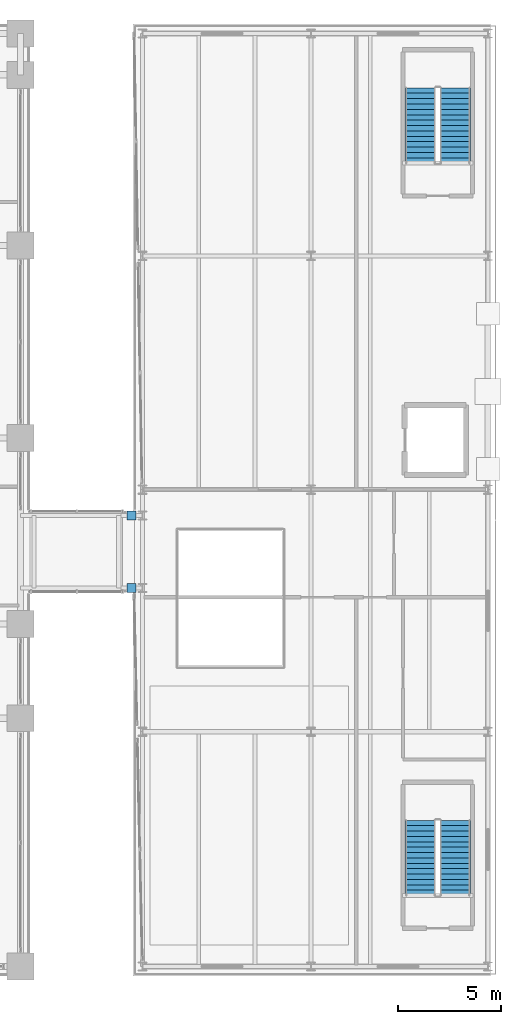
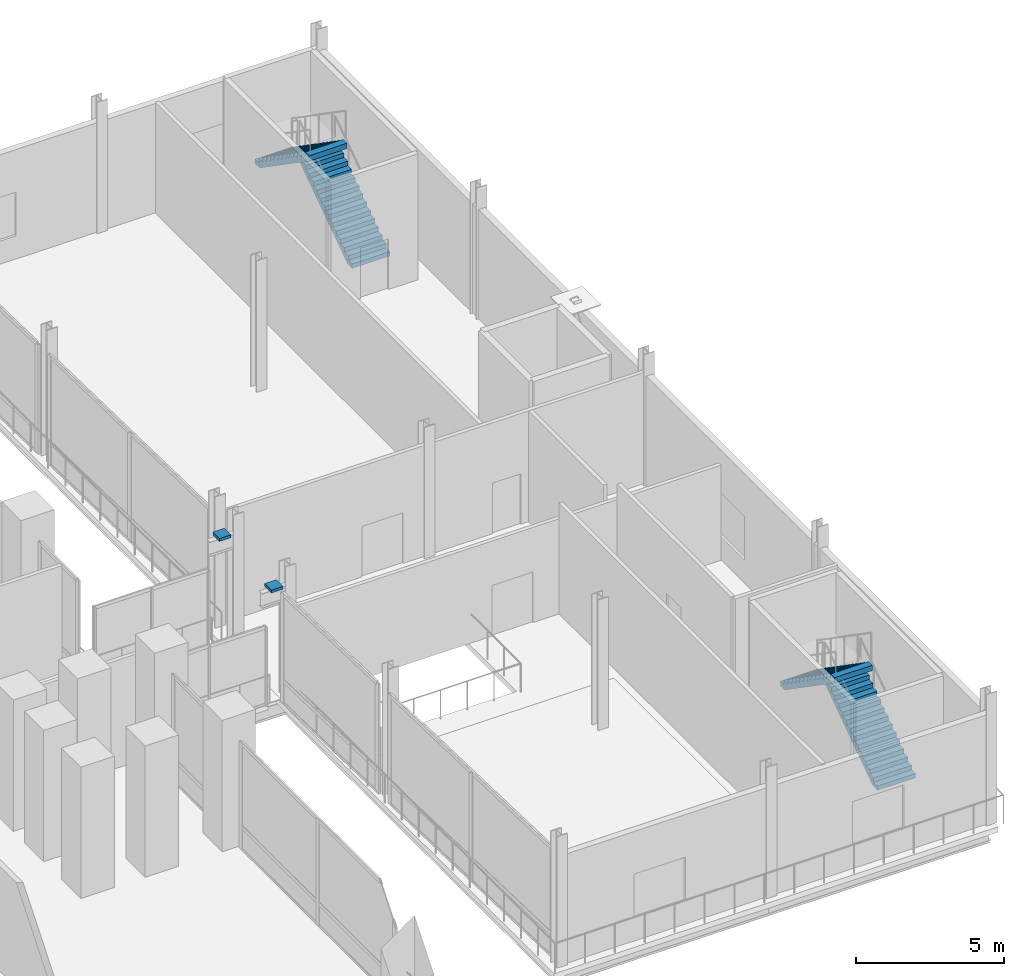
# One storey, part 25 of 31: 4 stair flights, 2 discrete accessories, 2 elements without a shape of their own.
"""IFC4 building model written with IfcOpenShell, lengths in metres."""

from ifc_helpers import new_model, si_unit, direction, frame, origin, origin_2d, place, context, subcontext, project, spatial, polyline, rectangle, outline, extrude, material, layer, layer_set, type_object, element, aggregate, save


model = new_model("IFC4")

# Units and contexts
model_context = context("Model", 3, precision=1e-05, world=origin(), true_north=direction((0.0, 1.0)))
body_context = subcontext(model_context, "Body", "Model", "MODEL_VIEW")
ifc_project = project(units=[si_unit("LENGTHUNIT", "METRE"), si_unit("AREAUNIT", "SQUARE_METRE"), si_unit("VOLUMEUNIT", "CUBIC_METRE"), si_unit("PLANEANGLEUNIT", "RADIAN"), si_unit("MASSUNIT", "GRAM", prefix="KILO")], contexts=[model_context])

# Site, building, storey
site_placement = place(None, origin())
site = spatial("IfcSite", under=ifc_project, at=site_placement, CompositionType="ELEMENT")
building_placement = place(site_placement, origin())
building = spatial("IfcBuilding", under=site, at=building_placement, Name="Noeulbin Bourse Tower", CompositionType="ELEMENT")
storey_placement = place(building_placement, frame((0.0, 0.0, 11.199951171875)))
storey = spatial("IfcBuildingStorey", under=building, at=storey_placement, Name="L03", CompositionType="ELEMENT", Elevation=11.199951171875)

# Stair, stair flights
ifc_material_1 = material(Name="Concrete C40/50", Category="concrete")
stair_type = type_object("IfcStairType", Name="STR-MKT-1480", PredefinedType="HALF_TURN_STAIR", material=ifc_material_1)
stair_1_placement = place(storey_placement, origin())
stair_1 = element("IfcStair", 1, at=stair_1_placement, inside=storey, type_object=stair_type, Name="L03 MST-1", PredefinedType="HALF_TURN_STAIR")
stair_flight_type = type_object("IfcStairFlightType", Name="SFL-MKT-1480", PredefinedType="STRAIGHT", material=ifc_material_1)
stair_flight_1_placement = place(storey_placement, frame((75.56005859375, 6.8798828125, 0.0), z_axis=(0.0, 0.0, 1.0), x_axis=(0.0, 1.0, 0.0)))
stair_flight_1 = element("IfcStairFlight", 2, at=stair_flight_1_placement, type_object=stair_flight_type, Name="MST-1 flight 1", NumberOfRisers=15, NumberOfTreads=14, PredefinedType="STRAIGHT", RiserHeight=0.18, TreadLength=0.26, context=body_context, shape_type="SweptSolid", body=[
    extrude(outline(polyline([(0.0, 0.0), (0.0, 0.179931640625), (0.260009765625, 0.179931640625), (0.260009765625, 0.360107421875), (0.52001953125, 0.360107421875), (0.52001953125, 0.5400390625), (0.780029296875, 0.5400390625), (0.780029296875, 0.719970703125), (1.0400390625, 0.719970703125), (1.0400390625, 0.89990234375), (1.300048828125, 0.89990234375), (1.300048828125, 1.080078125), (1.56005859375, 1.080078125), (1.56005859375, 1.260009765625), (1.820068359375, 1.260009765625), (1.820068359375, 1.43994140625), (2.080078125, 1.43994140625), (2.080078125, 1.6201171875), (2.340087890625, 1.6201171875), (2.340087890625, 1.800048828125), (2.60009765625, 1.800048828125), (2.60009765625, 1.97998046875), (2.860107421875, 1.97998046875), (2.860107421875, 2.159912109375), (3.1201171875, 2.159912109375), (3.1201171875, 2.340087890625), (3.3798828125, 2.340087890625), (3.3798828125, 2.52001953125), (3.639892578125, 2.52001953125), (3.639892578125, 2.699951171875), (3.639892578125, 2.30126953125), (0.316162109375, 0.0), (0.0, 0.0)])), frame((0.0, 0.739990234375, 0.0), z_axis=(0.0, -1.0, 0.0), x_axis=(1.0, 0.0, 0.0)), (0.0, 0.0, 1.0), 1.47998046875),
])
stair_flight_2_placement = place(storey_placement, frame((73.8798828125, 10.52001953125, 2.699951171875), z_axis=(0.0, 0.0, 1.0), x_axis=(0.0, -1.0, 0.0)))
stair_flight_2 = element("IfcStairFlight", 3, at=stair_flight_2_placement, type_object=stair_flight_type, Name="MST-1 flight 2", NumberOfRisers=15, NumberOfTreads=14, PredefinedType="STRAIGHT", RiserHeight=0.18, TreadLength=0.26, context=body_context, shape_type="SweptSolid", body=[
    extrude(outline(polyline([(0.0, 0.0), (0.0, 0.179931640625), (0.260009765625, 0.179931640625), (0.260009765625, 0.360107421875), (0.52001953125, 0.360107421875), (0.52001953125, 0.5400390625), (0.780029296875, 0.5400390625), (0.780029296875, 0.719970703125), (1.0400390625, 0.719970703125), (1.0400390625, 0.89990234375), (1.300048828125, 0.89990234375), (1.300048828125, 1.080078125), (1.56005859375, 1.080078125), (1.56005859375, 1.260009765625), (1.820068359375, 1.260009765625), (1.820068359375, 1.43994140625), (2.080078125, 1.43994140625), (2.080078125, 1.6201171875), (2.340087890625, 1.6201171875), (2.340087890625, 1.800048828125), (2.60009765625, 1.800048828125), (2.60009765625, 1.97998046875), (2.860107421875, 1.97998046875), (2.860107421875, 2.159912109375), (3.1201171875, 2.159912109375), (3.1201171875, 2.340087890625), (3.3798828125, 2.340087890625), (3.3798828125, 2.52001953125), (3.639892578125, 2.52001953125), (3.639892578125, 2.699951171875), (3.639892578125, 2.30126953125), (0.316162109375, 0.0), (0.0, 0.0)])), frame((0.0, 0.739990234375, 0.0), z_axis=(0.0, -1.0, 0.0), x_axis=(1.0, 0.0, 0.0)), (0.0, 0.0, 1.0), 1.47998046875),
])
aggregate(stair_1, [stair_flight_1, stair_flight_2])

stair_2_placement = place(storey_placement, origin())
stair_2 = element("IfcStair", 4, at=stair_2_placement, inside=storey, type_object=stair_type, Name="L03 MST-2", PredefinedType="HALF_TURN_STAIR")
stair_flight_3_placement = place(storey_placement, frame((75.56005859375, 42.280029296875, 0.0), z_axis=(0.0, 0.0, 1.0), x_axis=(0.0, 1.0, 0.0)))
stair_flight_3 = element("IfcStairFlight", 5, at=stair_flight_3_placement, type_object=stair_flight_type, Name="MST-2 flight 1", NumberOfRisers=15, NumberOfTreads=14, PredefinedType="STRAIGHT", RiserHeight=0.18, TreadLength=0.26, context=body_context, shape_type="SweptSolid", body=[
    extrude(outline(polyline([(0.0, 0.0), (0.0, 0.179931640625), (0.260009765625, 0.179931640625), (0.260009765625, 0.360107421875), (0.52001953125, 0.360107421875), (0.52001953125, 0.5400390625), (0.780029296875, 0.5400390625), (0.780029296875, 0.719970703125), (1.0400390625, 0.719970703125), (1.0400390625, 0.89990234375), (1.300048828125, 0.89990234375), (1.300048828125, 1.080078125), (1.56005859375, 1.080078125), (1.56005859375, 1.260009765625), (1.820068359375, 1.260009765625), (1.820068359375, 1.43994140625), (2.080078125, 1.43994140625), (2.080078125, 1.6201171875), (2.340087890625, 1.6201171875), (2.340087890625, 1.800048828125), (2.60009765625, 1.800048828125), (2.60009765625, 1.97998046875), (2.860107421875, 1.97998046875), (2.860107421875, 2.159912109375), (3.1201171875, 2.159912109375), (3.1201171875, 2.340087890625), (3.3798828125, 2.340087890625), (3.3798828125, 2.52001953125), (3.639892578125, 2.52001953125), (3.639892578125, 2.699951171875), (3.639892578125, 2.30126953125), (0.316162109375, 0.0), (0.0, 0.0)])), frame((0.0, 0.739990234375, 0.0), z_axis=(0.0, -1.0, 0.0), x_axis=(1.0, 0.0, 0.0)), (0.0, 0.0, 1.0), 1.47998046875),
])
stair_flight_4_placement = place(storey_placement, frame((73.8798828125, 45.919921875, 2.699951171875), z_axis=(0.0, 0.0, 1.0), x_axis=(0.0, -1.0, 0.0)))
stair_flight_4 = element("IfcStairFlight", 6, at=stair_flight_4_placement, type_object=stair_flight_type, Name="MST-2 flight 2", NumberOfRisers=15, NumberOfTreads=14, PredefinedType="STRAIGHT", RiserHeight=0.18, TreadLength=0.26, context=body_context, shape_type="SweptSolid", body=[
    extrude(outline(polyline([(0.0, 0.0), (0.0, 0.179931640625), (0.260009765625, 0.179931640625), (0.260009765625, 0.360107421875), (0.52001953125, 0.360107421875), (0.52001953125, 0.5400390625), (0.780029296875, 0.5400390625), (0.780029296875, 0.719970703125), (1.0400390625, 0.719970703125), (1.0400390625, 0.89990234375), (1.300048828125, 0.89990234375), (1.300048828125, 1.080078125), (1.56005859375, 1.080078125), (1.56005859375, 1.260009765625), (1.820068359375, 1.260009765625), (1.820068359375, 1.43994140625), (2.080078125, 1.43994140625), (2.080078125, 1.6201171875), (2.340087890625, 1.6201171875), (2.340087890625, 1.800048828125), (2.60009765625, 1.800048828125), (2.60009765625, 1.97998046875), (2.860107421875, 1.97998046875), (2.860107421875, 2.159912109375), (3.1201171875, 2.159912109375), (3.1201171875, 2.340087890625), (3.3798828125, 2.340087890625), (3.3798828125, 2.52001953125), (3.639892578125, 2.52001953125), (3.639892578125, 2.699951171875), (3.639892578125, 2.30126953125), (0.316162109375, 0.0), (0.0, 0.0)])), frame((0.0, 0.739990234375, 0.0), z_axis=(0.0, -1.0, 0.0), x_axis=(1.0, 0.0, 0.0)), (0.0, 0.0, 1.0), 1.47998046875),
])
aggregate(stair_2, [stair_flight_3, stair_flight_4])

# Discrete accessories
ifc_material_2 = material(Name="Stainless Steel 316", Category="steel")
ifc_layer = layer(ifc_material_2, 0.1201171875)
ifc_layer_set = layer_set([ifc_layer], Name="Stainless Steel 316")
discrete_accessory_type = type_object("IfcDiscreteAccessoryType", Name="ACC-PTFE-BRG", PredefinedType="BRACKET", material=ifc_layer_set)
for number, where, z_axis, x_axis, name in (
    (7, (59.919921875, 21.75, 4.530029296875), (0.0, 0.0, 1.0), (1.0, 0.0, 0.0), "Unguided PTFE Sliding Bridge Bearing SB-PTFE1-L04-1"),
    (8, (59.919921875, 25.25, 4.530029296875), (0.0, 0.0, 1.0), (1.0, 0.0, 0.0), "Unguided PTFE Sliding Bridge Bearing SB-PTFE1-L04-2"),
):
    element("IfcDiscreteAccessory", number, at=place(storey_placement, frame(where, z_axis=z_axis, x_axis=x_axis)), inside=storey, type_object=discrete_accessory_type, Name=name, PredefinedType="BRACKET", context=body_context, shape_type="SweptSolid", body=[
        extrude(rectangle(XDim=0.449951171875, YDim=0.449951171875, at=origin_2d()), origin(), (0.0, 0.0, 1.0), 0.1201171875),
    ])

save(model, "model.ifc")
